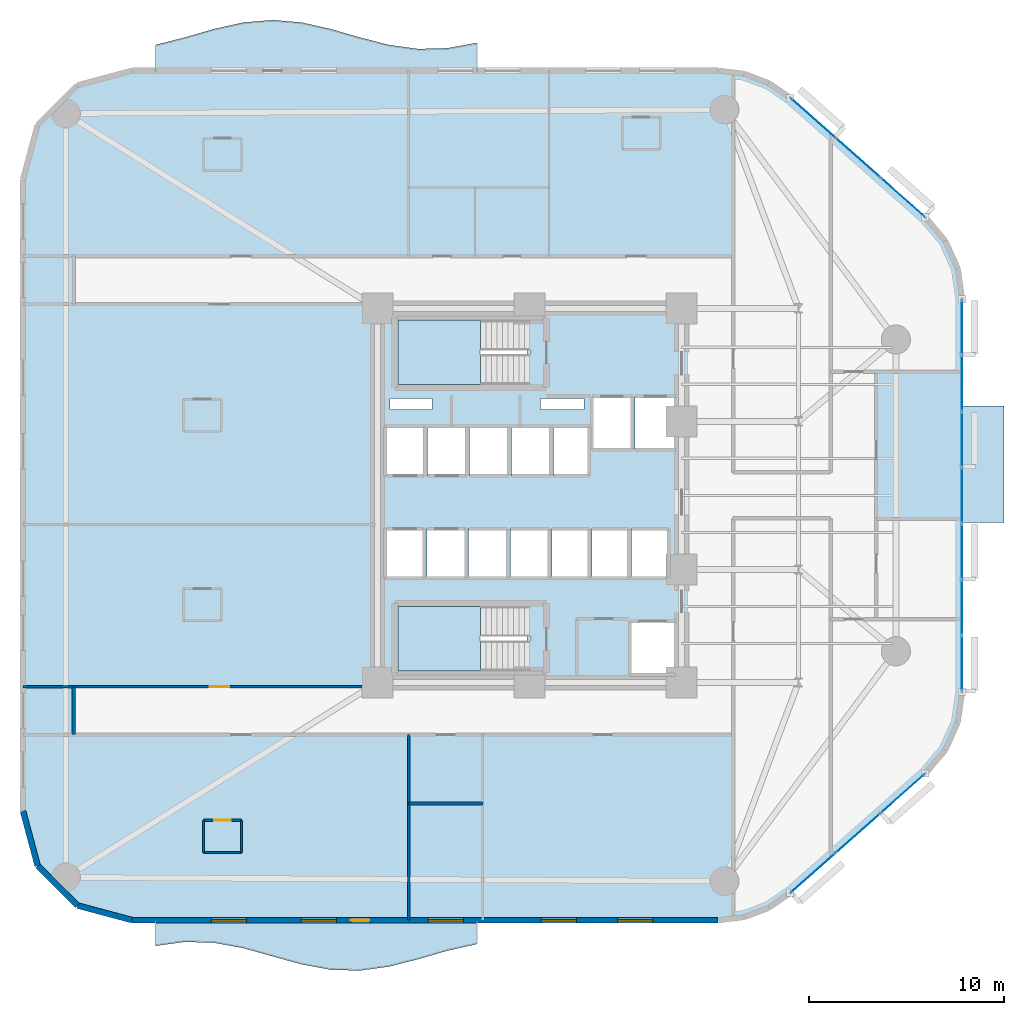
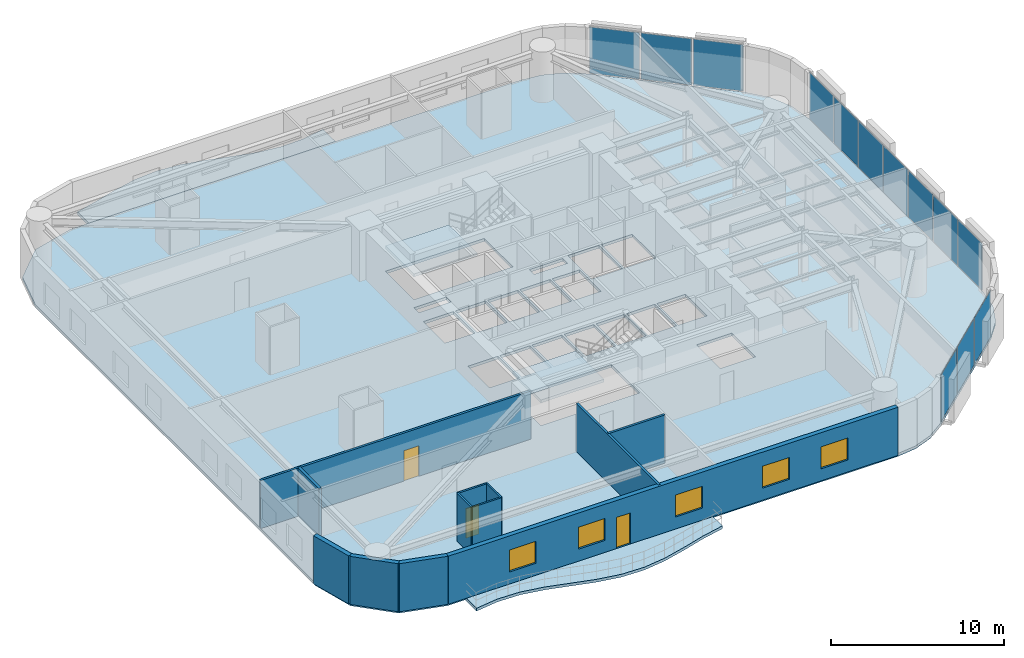
# One storey, part 9 of 16: 13 plates, 12 walls, 6 slabs, 5 windows, 3 doors, 8 openings, 5 elements without a shape of their own.
"""IFC4 building model written with IfcOpenShell, lengths in metres."""

from ifc_helpers import new_model, si_unit, direction, frame, frame_2d, origin, origin_2d, place, context, subcontext, project, spatial, polyline, rectangle, outline, extrude, material, layer, layer_set, type_object, element, fill, aggregate, save


model = new_model("IFC4")

# Units and contexts
model_context = context("Model", 3, precision=1e-05, world=origin(), true_north=direction((0.0, 1.0)))
body_context = subcontext(model_context, "Body", "Model", "MODEL_VIEW")
ifc_project = project(units=[si_unit("LENGTHUNIT", "METRE"), si_unit("AREAUNIT", "SQUARE_METRE"), si_unit("VOLUMEUNIT", "CUBIC_METRE"), si_unit("PLANEANGLEUNIT", "RADIAN"), si_unit("MASSUNIT", "GRAM", prefix="KILO")], contexts=[model_context])

# Site, building, storey
site_placement = place(None, origin())
site = spatial("IfcSite", under=ifc_project, at=site_placement, CompositionType="ELEMENT")
building_placement = place(site_placement, origin())
building = spatial("IfcBuilding", under=site, at=building_placement, Name="An Khanh Terracotta Commons", CompositionType="ELEMENT")
storey_placement = place(building_placement, frame((0.0, 0.0, 50.39990234375)))
storey = spatial("IfcBuildingStorey", under=building, at=storey_placement, Name="L13", CompositionType="ELEMENT", Elevation=50.39990234375)

# Curtain wall, plates
ifc_material_1 = material(Name="Anodised Aluminium 6063-T6", Category="aluminium")
ifc_layer_1 = layer(ifc_material_1, 0.199951171875, Name="Anodised Aluminium 6063-T6")
ifc_layer_set_1 = layer_set([ifc_layer_1], Name="Anodised Aluminium 6063-T6")
curtain_wall_type = type_object("IfcCurtainWallType", Name="CW-SYS-02", PredefinedType="USERDEFINED", material=ifc_layer_set_1)
curtain_wall_1_placement = place(storey_placement, origin())
curtain_wall_1 = element("IfcCurtainWall", 1, at=curtain_wall_1_placement, inside=storey, type_object=curtain_wall_type, Name="L13 CW-02 Unitised Curtain Wall CW-L13-08", ObjectType="UNITISED CURTAIN WALL", PredefinedType="USERDEFINED")
ifc_material_2 = material(Name="Double Low-E Solar Control Glazing", Category="glass")
ifc_layer_2 = layer(ifc_material_2, 0.028076171875, Name="Double Low-E Solar Control Glazing")
ifc_layer_set_2 = layer_set([ifc_layer_2], Name="Double Low-E Solar Control Glazing")
plate_type = type_object("IfcPlateType", Name="CWP-IGU-28", PredefinedType="CURTAIN_PANEL", material=ifc_layer_set_2)
plate_1_placement = place(storey_placement, frame((43.95556640625, 4.637939453125, 0.06005859375), z_axis=(0.0, 0.0, 1.0), x_axis=(0.749019284633, 0.662548195415, 0.0)))
plate_1 = element("IfcPlate", 2, at=plate_1_placement, type_object=plate_type, Name="CW-02 panel 1.1", PredefinedType="CURTAIN_PANEL", context=body_context, shape_type="SweptSolid", body=[
    extrude(rectangle(XDim=2.97509765625, YDim=0.028076171875, at=origin_2d()), origin(), (0.0, 0.0, 1.0), 3.280029296875),
])
plate_2_placement = place(storey_placement, frame((46.24951171875, 6.6669921875, 0.06005859375), z_axis=(0.0, 0.0, 1.0), x_axis=(0.749019284633, 0.662548195415, 0.0)))
plate_2 = element("IfcPlate", 3, at=plate_2_placement, type_object=plate_type, Name="CW-02 panel 2.1", PredefinedType="CURTAIN_PANEL", context=body_context, shape_type="SweptSolid", body=[
    extrude(rectangle(XDim=3.010009765625, YDim=0.028076171875, at=origin_2d()), origin(), (0.0, 0.0, 1.0), 3.280029296875),
])
plate_3_placement = place(storey_placement, frame((48.54345703125, 8.696044921875, 0.06005859375), z_axis=(0.0, 0.0, 1.0), x_axis=(0.749019284633, 0.662548195415, 0.0)))
plate_3 = element("IfcPlate", 4, at=plate_3_placement, type_object=plate_type, Name="CW-02 panel 3.1", PredefinedType="CURTAIN_PANEL", context=body_context, shape_type="SweptSolid", body=[
    extrude(rectangle(XDim=2.97509765625, YDim=0.028076171875, at=origin_2d()), origin(), (0.0, 0.0, 1.0), 3.280029296875),
])
aggregate(curtain_wall_1, [plate_1, plate_2, plate_3])

curtain_wall_2_placement = place(storey_placement, origin())
curtain_wall_2 = element("IfcCurtainWall", 5, at=curtain_wall_2_placement, inside=storey, type_object=curtain_wall_type, Name="L13 CW-02 Unitised Curtain Wall CW-L13-12", ObjectType="UNITISED CURTAIN WALL", PredefinedType="USERDEFINED")
plate_4_placement = place(storey_placement, frame((51.60009765625, 15.380126953125, 0.06005859375), z_axis=(0.0, 0.0, 1.0), x_axis=(0.0, 1.0, 0.0)))
plate_4 = element("IfcPlate", 6, at=plate_4_placement, type_object=plate_type, Name="CW-02 panel 1.1", PredefinedType="CURTAIN_PANEL", context=body_context, shape_type="SweptSolid", body=[
    extrude(rectangle(XDim=2.774169921875, YDim=0.028076171875, at=origin_2d()), origin(), (0.0, 0.0, 1.0), 3.280029296875),
])
plate_5_placement = place(storey_placement, frame((51.60009765625, 18.24169921875, 0.06005859375), z_axis=(0.0, 0.0, 1.0), x_axis=(0.0, 1.0, 0.0)))
plate_5 = element("IfcPlate", 7, at=plate_5_placement, type_object=plate_type, Name="CW-02 panel 2.1", PredefinedType="CURTAIN_PANEL", context=body_context, shape_type="SweptSolid", body=[
    extrude(rectangle(XDim=2.80908203125, YDim=0.028076171875, at=origin_2d()), origin(), (0.0, 0.0, 1.0), 3.280029296875),
])
plate_6_placement = place(storey_placement, frame((51.60009765625, 21.120849609375, 0.06005859375), z_axis=(0.0, 0.0, 1.0), x_axis=(0.0, 1.0, 0.0)))
plate_6 = element("IfcPlate", 8, at=plate_6_placement, type_object=plate_type, Name="CW-02 panel 3.1", PredefinedType="CURTAIN_PANEL", context=body_context, shape_type="SweptSolid", body=[
    extrude(rectangle(XDim=2.80908203125, YDim=0.028076171875, at=origin_2d()), origin(), (0.0, 0.0, 1.0), 3.280029296875),
])
plate_7_placement = place(storey_placement, frame((51.60009765625, 24.0, 0.06005859375), z_axis=(0.0, 0.0, 1.0), x_axis=(0.0, 1.0, 0.0)))
plate_7 = element("IfcPlate", 9, at=plate_7_placement, type_object=plate_type, Name="CW-02 panel 4.1", PredefinedType="CURTAIN_PANEL", context=body_context, shape_type="SweptSolid", body=[
    extrude(rectangle(XDim=2.80908203125, YDim=0.028076171875, at=origin_2d()), origin(), (0.0, 0.0, 1.0), 3.280029296875),
])
plate_8_placement = place(storey_placement, frame((51.60009765625, 26.879150390625, 0.06005859375), z_axis=(0.0, 0.0, 1.0), x_axis=(0.0, 1.0, 0.0)))
plate_8 = element("IfcPlate", 10, at=plate_8_placement, type_object=plate_type, Name="CW-02 panel 5.1", PredefinedType="CURTAIN_PANEL", context=body_context, shape_type="SweptSolid", body=[
    extrude(rectangle(XDim=2.80908203125, YDim=0.028076171875, at=origin_2d()), origin(), (0.0, 0.0, 1.0), 3.280029296875),
])
plate_9_placement = place(storey_placement, frame((51.60009765625, 29.75830078125, 0.06005859375), z_axis=(0.0, 0.0, 1.0), x_axis=(0.0, 1.0, 0.0)))
plate_9 = element("IfcPlate", 11, at=plate_9_placement, type_object=plate_type, Name="CW-02 panel 6.1", PredefinedType="CURTAIN_PANEL", context=body_context, shape_type="SweptSolid", body=[
    extrude(rectangle(XDim=2.80908203125, YDim=0.028076171875, at=origin_2d()), origin(), (0.0, 0.0, 1.0), 3.280029296875),
])
plate_10_placement = place(storey_placement, frame((51.60009765625, 32.619873046875, 0.06005859375), z_axis=(0.0, 0.0, 1.0), x_axis=(0.0, 1.0, 0.0)))
plate_10 = element("IfcPlate", 12, at=plate_10_placement, type_object=plate_type, Name="CW-02 panel 7.1", PredefinedType="CURTAIN_PANEL", context=body_context, shape_type="SweptSolid", body=[
    extrude(rectangle(XDim=2.774169921875, YDim=0.028076171875, at=origin_2d()), origin(), (0.0, 0.0, 1.0), 3.280029296875),
])
aggregate(curtain_wall_2, [plate_4, plate_5, plate_6, plate_7, plate_8, plate_9, plate_10])

curtain_wall_3_placement = place(storey_placement, origin())
curtain_wall_3 = element("IfcCurtainWall", 13, at=curtain_wall_3_placement, inside=storey, type_object=curtain_wall_type, Name="L13 CW-02 Unitised Curtain Wall CW-L13-16", ObjectType="UNITISED CURTAIN WALL", PredefinedType="USERDEFINED")
plate_11_placement = place(storey_placement, frame((48.54345703125, 39.303955078125, 0.06005859375), z_axis=(0.0, 0.0, 1.0), x_axis=(-0.749019284633, 0.662548195415, 0.0)))
plate_11 = element("IfcPlate", 14, at=plate_11_placement, type_object=plate_type, Name="CW-02 panel 1.1", PredefinedType="CURTAIN_PANEL", context=body_context, shape_type="SweptSolid", body=[
    extrude(rectangle(XDim=2.97509765625, YDim=0.028076171875, at=origin_2d()), origin(), (0.0, 0.0, 1.0), 3.280029296875),
])
plate_12_placement = place(storey_placement, frame((46.24951171875, 41.3330078125, 0.06005859375), z_axis=(0.0, 0.0, 1.0), x_axis=(-0.749019284633, 0.662548195415, 0.0)))
plate_12 = element("IfcPlate", 15, at=plate_12_placement, type_object=plate_type, Name="CW-02 panel 2.1", PredefinedType="CURTAIN_PANEL", context=body_context, shape_type="SweptSolid", body=[
    extrude(rectangle(XDim=3.010009765625, YDim=0.028076171875, at=origin_2d()), origin(), (0.0, 0.0, 1.0), 3.280029296875),
])
plate_13_placement = place(storey_placement, frame((43.95556640625, 43.362060546875, 0.06005859375), z_axis=(0.0, 0.0, 1.0), x_axis=(-0.749019284633, 0.662548195415, 0.0)))
plate_13 = element("IfcPlate", 16, at=plate_13_placement, type_object=plate_type, Name="CW-02 panel 3.1", PredefinedType="CURTAIN_PANEL", context=body_context, shape_type="SweptSolid", body=[
    extrude(rectangle(XDim=2.97509765625, YDim=0.028076171875, at=origin_2d()), origin(), (0.0, 0.0, 1.0), 3.280029296875),
])
aggregate(curtain_wall_3, [plate_11, plate_12, plate_13])

# Slabs
ifc_material_3 = material(Name="Concrete C40/50", Category="concrete")
ifc_layer_3 = layer(ifc_material_3, 0.199951171875, Name="Concrete C40/50")
ifc_layer_set_3 = layer_set([ifc_layer_3], Name="Concrete C40/50")
slab_type_1 = type_object("IfcSlabType", Name="SLAB-BALC-200", PredefinedType="FLOOR", material=ifc_layer_set_3)
slab_1_placement = place(storey_placement, frame((0.0, 0.0, -0.199951171875)))
element("IfcSlab", 17, at=slab_1_placement, inside=storey, type_object=slab_type_1, Name="L13 S Sinusoidal Wave Balcony Slab", PredefinedType="FLOOR", context=body_context, shape_type="SweptSolid", body=[
    extrude(outline(polyline([(10.199951171875, 2.199951171875), (10.199951171875, 0.8798828125), (11.699951171875, 1.0859375), (13.199951171875, 1.04296875), (14.699951171875, 0.76708984375), (16.199951171875, 0.35009765625), (17.699951171875, -0.06689453125), (19.199951171875, -0.343017578125), (20.699951171875, -0.385986328125), (22.199951171875, -0.179931640625), (23.699951171875, 0.2041015625), (25.199951171875, 0.636962890625), (26.699951171875, 0.97412109375), (26.699951171875, 2.199951171875), (10.199951171875, 2.199951171875)])), origin(), (0.0, 0.0, 1.0), 0.199951171875),
])
slab_2_placement = place(storey_placement, frame((0.0, 0.0, -0.199951171875)))
element("IfcSlab", 18, at=slab_2_placement, inside=storey, type_object=slab_type_1, Name="L13 N Sinusoidal Wave Balcony Slab", PredefinedType="FLOOR", context=body_context, shape_type="SweptSolid", body=[
    extrude(outline(polyline([(26.699951171875, 45.800048828125), (26.699951171875, 47.23291015625), (25.199951171875, 46.95703125), (23.699951171875, 46.9140625), (22.199951171875, 47.1201171875), (20.699951171875, 47.50390625), (19.199951171875, 47.93701171875), (17.699951171875, 48.27392578125), (16.199951171875, 48.39990234375), (14.699951171875, 48.27392578125), (13.199951171875, 47.93701171875), (11.699951171875, 47.50390625), (10.199951171875, 47.1201171875), (10.199951171875, 45.800048828125), (26.699951171875, 45.800048828125)])), origin(), (0.0, 0.0, 1.0), 0.199951171875),
])
ifc_layer_4 = layer(ifc_material_3, 0.22998046875, Name="Concrete C40/50")
ifc_layer_set_4 = layer_set([ifc_layer_4], Name="Concrete C40/50")
slab_type_2 = type_object("IfcSlabType", Name="SLAB-BOXROOF-230", PredefinedType="ROOF", material=ifc_layer_set_4)
slab_3_placement = place(storey_placement, frame((0.0, 0.0, -0.199951171875)))
element("IfcSlab", 19, at=slab_3_placement, inside=storey, type_object=slab_type_2, Name="L13 Shifted Social Kitchen Box Closing Roof Slab (L12)", PredefinedType="ROOF", context=body_context, shape_type="SweptSolid", body=[
    extrude(outline(polyline([(51.60009765625, 22.60009765625), (53.75, 22.60009765625), (53.75, 28.60009765625), (51.60009765625, 28.60009765625), (51.60009765625, 22.60009765625)])), origin(), (0.0, 0.0, 1.0), 0.199951171875),
])

# Stair, slab
ifc_material_4 = material(Name="Precast concrete C40/50", Category="concrete")
stair_type = type_object("IfcStairType", Name="STAIR-CORE-1550", PredefinedType="HALF_TURN_STAIR", material=ifc_material_4)
stair_1_placement = place(storey_placement, origin())
stair_1 = element("IfcStair", 20, at=stair_1_placement, inside=storey, type_object=stair_type, Name="L13 Core Smokeproof Exit Stair ST-01", PredefinedType="HALF_TURN_STAIR")
ifc_layer_5 = layer(ifc_material_3, 0.18994140625, Name="Concrete C40/50")
ifc_layer_set_5 = layer_set([ifc_layer_5], Name="Concrete C40/50")
slab_type_3 = type_object("IfcSlabType", Name="SLAB-LANDING-190", PredefinedType="LANDING", material=ifc_layer_set_5)
slab_4_placement = place(storey_placement, frame((0.0, 0.0, 1.60009765625)))
slab_4 = element("IfcSlab", 21, at=slab_4_placement, type_object=slab_type_3, Name="ST-01 landing 1", PredefinedType="LANDING", context=body_context, shape_type="SweptSolid", body=[
    extrude(outline(polyline([(26.889892578125, 33.0), (22.64990234375, 33.0), (22.64990234375, 29.699951171875), (26.889892578125, 29.699951171875), (26.889892578125, 33.0)])), origin(), (0.0, 0.0, 1.0), 0.199951171875),
])
aggregate(stair_1, [slab_4])

stair_2_placement = place(storey_placement, origin())
stair_2 = element("IfcStair", 22, at=stair_2_placement, inside=storey, type_object=stair_type, Name="L13 Core Smokeproof Exit Stair ST-02", PredefinedType="HALF_TURN_STAIR")
slab_5_placement = place(storey_placement, frame((0.0, 0.0, 1.60009765625)))
slab_5 = element("IfcSlab", 23, at=slab_5_placement, type_object=slab_type_3, Name="ST-02 landing 1", PredefinedType="LANDING", context=body_context, shape_type="SweptSolid", body=[
    extrude(outline(polyline([(26.889892578125, 18.300048828125), (22.64990234375, 18.300048828125), (22.64990234375, 15.0), (26.889892578125, 15.0), (26.889892578125, 18.300048828125)])), origin(), (0.0, 0.0, 1.0), 0.199951171875),
])
aggregate(stair_2, [slab_5])

# Slab
ifc_layer_6 = layer(ifc_material_3, 0.199951171875, Name="Concrete C40/50")
ifc_layer_set_6 = layer_set([ifc_layer_6], Name="Concrete C40/50")
slab_type_4 = type_object("IfcSlabType", Name="SLAB-TYP-200", PredefinedType="FLOOR", material=ifc_layer_set_6)
slab_6_placement = place(storey_placement, frame((0.0, 0.0, -0.199951171875)))
element("IfcSlab", 24, at=slab_6_placement, inside=storey, type_object=slab_type_4, Name="L13 Structural Floor Slab", PredefinedType="FLOOR", context=body_context, shape_type="SweptSolid", body=[
    extrude(outline(polyline([(3.39990234375, 7.800048828125), (4.14990234375, 5.0), (6.199951171875, 2.949951171875), (9.0, 2.199951171875), (39.0791015625, 2.199951171875), (40.4169921875, 2.362060546875), (41.678955078125, 2.840087890625), (42.7890625, 3.60595703125), (49.7099609375, 9.72802734375), (50.73193359375, 10.927978515625), (51.37890625, 12.363037109375), (51.60009765625, 13.923095703125), (51.60009765625, 34.076904296875), (51.37890625, 35.636962890625), (50.73193359375, 37.072021484375), (49.7099609375, 38.27197265625), (42.7890625, 44.39404296875), (41.678955078125, 45.159912109375), (40.4169921875, 45.637939453125), (39.0791015625, 45.800048828125), (9.0, 45.800048828125), (6.199951171875, 45.050048828125), (4.14990234375, 43.0), (3.39990234375, 40.199951171875), (3.39990234375, 7.800048828125)]), holes=[polyline([(22.64990234375, 29.699951171875), (29.27001953125, 29.699951171875), (29.27001953125, 33.0), (22.64990234375, 33.0), (22.64990234375, 29.699951171875)]), polyline([(22.64990234375, 15.0), (29.27001953125, 15.0), (29.27001953125, 18.300048828125), (22.64990234375, 18.300048828125), (22.64990234375, 15.0)]), polyline([(32.60009765625, 26.35009765625), (34.679931640625, 26.35009765625), (34.679931640625, 29.080078125), (32.60009765625, 29.080078125), (32.60009765625, 26.35009765625)]), polyline([(34.820068359375, 26.35009765625), (36.89990234375, 26.35009765625), (36.89990234375, 29.080078125), (34.820068359375, 29.080078125), (34.820068359375, 26.35009765625)]), polyline([(34.550048828125, 14.800048828125), (36.89990234375, 14.800048828125), (36.89990234375, 17.550048828125), (34.550048828125, 17.550048828125), (34.550048828125, 14.800048828125)]), polyline([(22.0, 25.0), (24.02001953125, 25.0), (24.02001953125, 27.5), (22.0, 27.5), (22.0, 25.0)]), polyline([(24.159912109375, 25.0), (26.179931640625, 25.0), (26.179931640625, 27.5), (24.159912109375, 27.5), (24.159912109375, 25.0)]), polyline([(22.0, 19.800048828125), (24.0, 19.800048828125), (24.0, 22.300048828125), (22.0, 22.300048828125), (22.0, 19.800048828125)]), polyline([(24.139892578125, 19.800048828125), (26.139892578125, 19.800048828125), (26.139892578125, 22.300048828125), (24.139892578125, 22.300048828125), (24.139892578125, 19.800048828125)]), polyline([(26.320068359375, 25.0), (28.340087890625, 25.0), (28.340087890625, 27.5), (26.320068359375, 27.5), (26.320068359375, 25.0)]), polyline([(28.47998046875, 25.0), (30.5, 25.0), (30.5, 27.5), (28.47998046875, 27.5), (28.47998046875, 25.0)]), polyline([(26.280029296875, 19.800048828125), (28.280029296875, 19.800048828125), (28.280029296875, 22.300048828125), (26.280029296875, 22.300048828125), (26.280029296875, 19.800048828125)]), polyline([(28.419921875, 19.800048828125), (30.419921875, 19.800048828125), (30.419921875, 22.300048828125), (28.419921875, 22.300048828125), (28.419921875, 19.800048828125)]), polyline([(30.639892578125, 25.0), (32.4599609375, 25.0), (32.4599609375, 27.5), (30.639892578125, 27.5), (30.639892578125, 25.0)]), polyline([(30.56005859375, 19.800048828125), (32.4599609375, 19.800048828125), (32.4599609375, 22.300048828125), (30.56005859375, 22.300048828125), (30.56005859375, 19.800048828125)]), polyline([(32.60009765625, 19.800048828125), (34.5, 19.800048828125), (34.5, 22.300048828125), (32.60009765625, 22.300048828125), (32.60009765625, 19.800048828125)]), polyline([(34.639892578125, 19.800048828125), (36.5400390625, 19.800048828125), (36.5400390625, 22.300048828125), (34.639892578125, 22.300048828125), (34.639892578125, 19.800048828125)]), polyline([(22.25, 28.419921875), (24.39990234375, 28.419921875), (24.39990234375, 28.97998046875), (22.25, 28.97998046875), (22.25, 28.419921875)]), polyline([(29.949951171875, 28.419921875), (32.199951171875, 28.419921875), (32.199951171875, 28.97998046875), (29.949951171875, 28.97998046875), (29.949951171875, 28.419921875)])]), origin(), (0.0, 0.0, 1.0), 0.199951171875),
])

# Walls
ifc_material_5 = material(Name="Fire-Rated Gypsum Board on Steel Stud", Category="steel")
ifc_layer_7 = layer(ifc_material_5, 0.179931640625, Name="Fire-Rated Gypsum Board on Steel Stud")
ifc_layer_set_7 = layer_set([ifc_layer_7], Name="Fire-Rated Gypsum Board on Steel Stud")
wall_type_1 = type_object("IfcWallType", Name="WALL-CORR-180", PredefinedType="PARTITIONING", material=ifc_layer_set_7)
wall_1_placement = place(storey_placement, frame((6.0, 11.719970703125, 0.0), z_axis=(0.0, 0.0, 1.0), x_axis=(0.0, 1.0, 0.0)))
element("IfcWall", 25, at=wall_1_placement, inside=storey, type_object=wall_type_1, Name="L13 Interior Partition IW-L13-E013", PredefinedType="PARTITIONING", context=body_context, shape_type="SweptSolid", body=[
    extrude(rectangle(XDim=2.4599609375, YDim=0.179931640625, at=frame_2d((1.22998046875, 0.0))), origin(), (0.0, 0.0, 1.0), 3.400146484375),
])
ifc_layer_8 = layer(ifc_material_4, 0.300048828125, Name="Precast concrete C40/50")
ifc_layer_set_8 = layer_set([ifc_layer_8], Name="Precast concrete C40/50")
wall_type_2 = type_object("IfcWallType", Name="WALL-EXT-300", PredefinedType="SOLIDWALL", material=ifc_layer_set_8)
wall_2_placement = place(storey_placement, frame((3.39990234375, 7.800048828125, 0.0), z_axis=(0.0, 0.0, 1.0), x_axis=(0.258731875344, -0.96594917914, 0.0)))
element("IfcWall", 26, at=wall_2_placement, inside=storey, type_object=wall_type_2, Name="L13 Insulated Terracotta Exterior Wall 1", PredefinedType="SOLIDWALL", context=body_context, shape_type="SweptSolid", body=[
    extrude(rectangle(XDim=2.898681640625, YDim=0.300048828125, at=frame_2d((1.44921875, 0.0))), origin(), (0.0, 0.0, 1.0), 3.400146484375),
])
wall_3_placement = place(storey_placement, frame((4.14990234375, 5.0, 0.0), z_axis=(0.0, 0.0, 1.0), x_axis=(0.707106781187, -0.707106781187, 0.0)))
element("IfcWall", 27, at=wall_3_placement, inside=storey, type_object=wall_type_2, Name="L13 Insulated Terracotta Exterior Wall 2", PredefinedType="SOLIDWALL", context=body_context, shape_type="SweptSolid", body=[
    extrude(rectangle(XDim=2.899169921875, YDim=0.300048828125, at=frame_2d((1.44970703125, 0.0))), origin(), (0.0, 0.0, 1.0), 3.400146484375),
])
wall_4_placement = place(storey_placement, frame((6.199951171875, 2.949951171875, 0.0), z_axis=(0.0, 0.0, 1.0), x_axis=(0.96594917914, -0.258731875344, 0.0)))
element("IfcWall", 28, at=wall_4_placement, inside=storey, type_object=wall_type_2, Name="L13 Insulated Terracotta Exterior Wall 3", PredefinedType="SOLIDWALL", context=body_context, shape_type="SweptSolid", body=[
    extrude(rectangle(XDim=2.898681640625, YDim=0.300048828125, at=frame_2d((1.44921875, 0.0))), origin(), (0.0, 0.0, 1.0), 3.400146484375),
])

# Wall, openings, door, windows
wall_5_placement = place(storey_placement, frame((9.0, 2.199951171875, 0.0), z_axis=(0.0, 0.0, 1.0), x_axis=(1.0, 0.0, 0.0)))
wall_5 = element("IfcWall", 29, at=wall_5_placement, inside=storey, type_object=wall_type_2, Name="L13 Insulated Terracotta Exterior Wall 4", PredefinedType="SOLIDWALL", context=body_context, shape_type="SweptSolid", body=[
    extrude(rectangle(XDim=30.0791015625, YDim=0.300048828125, at=frame_2d((15.03955078125, 0.0))), origin(), (0.0, 0.0, 1.0), 3.400146484375),
])
opening_1_placement = place(wall_5_placement, frame((11.22509765625, 0.0, 0.0)))
opening_1 = element("IfcOpeningElement", 30, at=opening_1_placement, cuts=wall_5, Name="Opening D-BAL", PredefinedType="OPENING", context=body_context, shape_type="SweptSolid", body=[
    extrude(rectangle(XDim=0.949951171875, YDim=2.199951171875, at=frame_2d((0.47509765625, 1.10009765625))), frame((0.0, 0.159912109375, 0.0), z_axis=(0.0, -1.0, 0.0), x_axis=(1.0, 0.0, 0.0)), (0.0, 0.0, 1.0), 0.320068359375),
])
opening_2_placement = place(wall_5_placement, frame((4.06689453125, 0.0, 0.85009765625)))
opening_2 = element("IfcOpeningElement", 31, at=opening_2_placement, cuts=wall_5, Name="Opening W-01", PredefinedType="OPENING", context=body_context, shape_type="SweptSolid", body=[
    extrude(rectangle(XDim=1.800048828125, YDim=1.550048828125, at=frame_2d((0.89990234375, 0.77490234375))), frame((0.0, 0.159912109375, 0.0), z_axis=(0.0, -1.0, 0.0), x_axis=(1.0, 0.0, 0.0)), (0.0, 0.0, 1.0), 0.320068359375),
])
opening_3_placement = place(wall_5_placement, frame((8.68310546875, 0.0, 0.85009765625)))
opening_3 = element("IfcOpeningElement", 32, at=opening_3_placement, cuts=wall_5, Name="Opening W-01", PredefinedType="OPENING", context=body_context, shape_type="SweptSolid", body=[
    extrude(rectangle(XDim=1.800048828125, YDim=1.550048828125, at=frame_2d((0.89990234375, 0.77490234375))), frame((0.0, 0.159912109375, 0.0), z_axis=(0.0, -1.0, 0.0), x_axis=(1.0, 0.0, 0.0)), (0.0, 0.0, 1.0), 0.320068359375),
])
opening_4_placement = place(wall_5_placement, frame((15.199951171875, 0.0, 0.85009765625)))
opening_4 = element("IfcOpeningElement", 33, at=opening_4_placement, cuts=wall_5, Name="Opening W-01", PredefinedType="OPENING", context=body_context, shape_type="SweptSolid", body=[
    extrude(rectangle(XDim=1.800048828125, YDim=1.550048828125, at=frame_2d((0.89990234375, 0.77490234375))), frame((0.0, 0.159912109375, 0.0), z_axis=(0.0, -1.0, 0.0), x_axis=(1.0, 0.0, 0.0)), (0.0, 0.0, 1.0), 0.320068359375),
])
opening_5_placement = place(wall_5_placement, frame((21.010009765625, 0.0, 0.85009765625)))
opening_5 = element("IfcOpeningElement", 34, at=opening_5_placement, cuts=wall_5, Name="Opening W-01", PredefinedType="OPENING", context=body_context, shape_type="SweptSolid", body=[
    extrude(rectangle(XDim=1.800048828125, YDim=1.550048828125, at=frame_2d((0.89990234375, 0.77490234375))), frame((0.0, 0.159912109375, 0.0), z_axis=(0.0, -1.0, 0.0), x_axis=(1.0, 0.0, 0.0)), (0.0, 0.0, 1.0), 0.320068359375),
])
opening_6_placement = place(wall_5_placement, frame((24.9189453125, 0.0, 0.85009765625)))
opening_6 = element("IfcOpeningElement", 35, at=opening_6_placement, cuts=wall_5, Name="Opening W-01", PredefinedType="OPENING", context=body_context, shape_type="SweptSolid", body=[
    extrude(rectangle(XDim=1.800048828125, YDim=1.550048828125, at=frame_2d((0.89990234375, 0.77490234375))), frame((0.0, 0.159912109375, 0.0), z_axis=(0.0, -1.0, 0.0), x_axis=(1.0, 0.0, 0.0)), (0.0, 0.0, 1.0), 0.320068359375),
])
ifc_material_6 = material(Name="Thermally Broken Aluminium and Low-E Glass", Category="aluminium")
door_type_1 = type_object("IfcDoorType", Name="DOOR-BALC-950", OperationType="NOTDEFINED", PredefinedType="DOOR", material=ifc_material_6)
door_1_placement = place(opening_1_placement, origin())
door_1 = element("IfcDoor", 36, at=door_1_placement, inside=storey, type_object=door_type_1, Name="L13 S Wave Balcony Glazed Door", OperationType="SINGLE_SWING_LEFT", OverallHeight=2.199951171875, OverallWidth=0.949951171875, PredefinedType="DOOR", context=body_context, shape_type="SweptSolid", body=[
    extrude(rectangle(XDim=0.949951171875, YDim=2.199951171875, at=frame_2d((0.47509765625, 1.10009765625))), frame((0.0, 0.02490234375, 0.0), z_axis=(0.0, -1.0, 0.0), x_axis=(1.0, 0.0, 0.0)), (0.0, 0.0, 1.0), 0.050048828125),
])
fill(opening_1, door_1)
window_type = type_object("IfcWindowType", Name="WIN-Z1-1800x1550", PartitioningType="DOUBLE_PANEL_VERTICAL", PredefinedType="WINDOW", material=ifc_material_6)
window_1_placement = place(opening_2_placement, origin())
window_1 = element("IfcWindow", 37, at=window_1_placement, inside=storey, type_object=window_type, Name="L13 Operable Casement Window 4.1", OverallHeight=1.550048828125, OverallWidth=1.800048828125, PartitioningType="DOUBLE_PANEL_VERTICAL", PredefinedType="WINDOW", context=body_context, shape_type="SweptSolid", body=[
    extrude(rectangle(XDim=1.800048828125, YDim=1.550048828125, at=frame_2d((0.89990234375, 0.77490234375))), frame((0.0, 0.030029296875, 0.0), z_axis=(0.0, -1.0, 0.0), x_axis=(1.0, 0.0, 0.0)), (0.0, 0.0, 1.0), 0.06005859375),
])
fill(opening_2, window_1)
window_2_placement = place(opening_3_placement, origin())
window_2 = element("IfcWindow", 38, at=window_2_placement, inside=storey, type_object=window_type, Name="L13 Operable Casement Window 4.2", OverallHeight=1.550048828125, OverallWidth=1.800048828125, PartitioningType="DOUBLE_PANEL_VERTICAL", PredefinedType="WINDOW", context=body_context, shape_type="SweptSolid", body=[
    extrude(rectangle(XDim=1.800048828125, YDim=1.550048828125, at=frame_2d((0.89990234375, 0.77490234375))), frame((0.0, 0.030029296875, 0.0), z_axis=(0.0, -1.0, 0.0), x_axis=(1.0, 0.0, 0.0)), (0.0, 0.0, 1.0), 0.06005859375),
])
fill(opening_3, window_2)
window_3_placement = place(opening_4_placement, origin())
window_3 = element("IfcWindow", 39, at=window_3_placement, inside=storey, type_object=window_type, Name="L13 Operable Casement Window 4.3", OverallHeight=1.550048828125, OverallWidth=1.800048828125, PartitioningType="DOUBLE_PANEL_VERTICAL", PredefinedType="WINDOW", context=body_context, shape_type="SweptSolid", body=[
    extrude(rectangle(XDim=1.800048828125, YDim=1.550048828125, at=frame_2d((0.89990234375, 0.77490234375))), frame((0.0, 0.030029296875, 0.0), z_axis=(0.0, -1.0, 0.0), x_axis=(1.0, 0.0, 0.0)), (0.0, 0.0, 1.0), 0.06005859375),
])
fill(opening_4, window_3)
window_4_placement = place(opening_5_placement, origin())
window_4 = element("IfcWindow", 40, at=window_4_placement, inside=storey, type_object=window_type, Name="L13 Operable Casement Window 4.4", OverallHeight=1.550048828125, OverallWidth=1.800048828125, PartitioningType="DOUBLE_PANEL_VERTICAL", PredefinedType="WINDOW", context=body_context, shape_type="SweptSolid", body=[
    extrude(rectangle(XDim=1.800048828125, YDim=1.550048828125, at=frame_2d((0.89990234375, 0.77490234375))), frame((0.0, 0.030029296875, 0.0), z_axis=(0.0, -1.0, 0.0), x_axis=(1.0, 0.0, 0.0)), (0.0, 0.0, 1.0), 0.06005859375),
])
fill(opening_5, window_4)
window_5_placement = place(opening_6_placement, origin())
window_5 = element("IfcWindow", 41, at=window_5_placement, inside=storey, type_object=window_type, Name="L13 Operable Casement Window 4.5", OverallHeight=1.550048828125, OverallWidth=1.800048828125, PartitioningType="DOUBLE_PANEL_VERTICAL", PredefinedType="WINDOW", context=body_context, shape_type="SweptSolid", body=[
    extrude(rectangle(XDim=1.800048828125, YDim=1.550048828125, at=frame_2d((0.89990234375, 0.77490234375))), frame((0.0, 0.030029296875, 0.0), z_axis=(0.0, -1.0, 0.0), x_axis=(1.0, 0.0, 0.0)), (0.0, 0.0, 1.0), 0.06005859375),
])
fill(opening_6, window_5)

# Wall
ifc_material_7 = material(Name="Acoustic Gypsum Board Partition")
ifc_layer_9 = layer(ifc_material_7, 0.14990234375, Name="Acoustic Gypsum Board Partition")
ifc_layer_set_9 = layer_set([ifc_layer_9], Name="Acoustic Gypsum Board Partition")
wall_type_3 = type_object("IfcWallType", Name="WALL-PART-150", PredefinedType="PARTITIONING", material=ifc_layer_set_9)
wall_6_placement = place(storey_placement, frame((23.199951171875, 8.199951171875, 0.0), z_axis=(0.0, 0.0, 1.0), x_axis=(1.0, 0.0, 0.0)))
element("IfcWall", 42, at=wall_6_placement, inside=storey, type_object=wall_type_3, Name="L13 Interior Partition IW-L13-E001", PredefinedType="PARTITIONING", context=body_context, shape_type="SweptSolid", body=[
    extrude(rectangle(XDim=3.800048828125, YDim=0.14990234375, at=frame_2d((1.89990234375, 0.0))), origin(), (0.0, 0.0, 1.0), 3.400146484375),
])

# Wall, opening, door
wall_7_placement = place(storey_placement, frame((3.39990234375, 14.179931640625, 0.0), z_axis=(0.0, 0.0, 1.0), x_axis=(1.0, 0.0, 0.0)))
wall_7 = element("IfcWall", 43, at=wall_7_placement, inside=storey, type_object=wall_type_3, Name="L13 Interior Partition IW-L13-E003", PredefinedType="PARTITIONING", context=body_context, shape_type="SweptSolid", body=[
    extrude(rectangle(XDim=18.080078125, YDim=0.14990234375, at=frame_2d((9.0400390625, 0.0))), origin(), (0.0, 0.0, 1.0), 3.400146484375),
])
opening_7_placement = place(wall_7_placement, frame((9.580078125, 0.0, 0.0)))
opening_7 = element("IfcOpeningElement", 44, at=opening_7_placement, cuts=wall_7, Name="Opening D-UN", PredefinedType="OPENING", context=body_context, shape_type="SweptSolid", body=[
    extrude(rectangle(XDim=1.0, YDim=2.14990234375, at=frame_2d((0.5, 1.074951171875))), frame((0.0, 0.0849609375, 0.0), z_axis=(0.0, -1.0, 0.0), x_axis=(1.0, 0.0, 0.0)), (0.0, 0.0, 1.0), 0.169921875),
])
ifc_material_8 = material(Name="Solid-Core Hardwood Acoustic Fire Door", Category="wood")
door_type_2 = type_object("IfcDoorType", Name="DOOR-UNIT-1000", OperationType="NOTDEFINED", PredefinedType="DOOR", material=ifc_material_8)
door_2_placement = place(opening_7_placement, origin())
door_2 = element("IfcDoor", 45, at=door_2_placement, inside=storey, type_object=door_type_2, Name="L13 WW1 Kitchenette and Studio Apartment Door", OperationType="SINGLE_SWING_RIGHT", OverallHeight=2.14990234375, OverallWidth=1.0, PredefinedType="DOOR", context=body_context, shape_type="SweptSolid", body=[
    extrude(rectangle(XDim=1.0, YDim=2.14990234375, at=frame_2d((0.5, 1.074951171875))), frame((0.0, 0.02490234375, 0.0), z_axis=(0.0, -1.0, 0.0), x_axis=(1.0, 0.0, 0.0)), (0.0, 0.0, 1.0), 0.050048828125),
])
fill(opening_7, door_2)

# Wall
wall_8_placement = place(storey_placement, frame((23.199951171875, 2.199951171875, 0.0), z_axis=(0.0, 0.0, 1.0), x_axis=(0.0, 1.0, 0.0)))
element("IfcWall", 46, at=wall_8_placement, inside=storey, type_object=wall_type_3, Name="L13 Interior Partition IW-L13-E015", PredefinedType="PARTITIONING", context=body_context, shape_type="SweptSolid", body=[
    extrude(rectangle(XDim=9.52001953125, YDim=0.14990234375, at=frame_2d((4.760009765625, 0.0))), origin(), (0.0, 0.0, 1.0), 3.400146484375),
])

# Wall, opening, door
ifc_material_9 = material(Name="Moisture-Resistant Cement Board Partition")
ifc_layer_10 = layer(ifc_material_9, 0.1201171875, Name="Moisture-Resistant Cement Board Partition")
ifc_layer_set_10 = layer_set([ifc_layer_10], Name="Moisture-Resistant Cement Board Partition")
wall_type_4 = type_object("IfcWallType", Name="WALL-WET-120", PredefinedType="PARTITIONING", material=ifc_layer_set_10)
wall_9_placement = place(storey_placement, frame((12.6640625, 7.3291015625, 0.0), z_axis=(0.0, 0.0, 1.0), x_axis=(1.0, 0.0, 0.0)))
wall_9 = element("IfcWall", 47, at=wall_9_placement, inside=storey, type_object=wall_type_4, Name="L13 Interior Partition IW-L13-SW1-BN", PredefinedType="PARTITIONING", context=body_context, shape_type="SweptSolid", body=[
    extrude(rectangle(XDim=1.949951171875, YDim=0.1201171875, at=frame_2d((0.97509765625, 0.0))), origin(), (0.0, 0.0, 1.0), 3.400146484375),
])
opening_8_placement = place(wall_9_placement, frame((0.544921875, 0.0, 0.0)))
opening_8 = element("IfcOpeningElement", 48, at=opening_8_placement, cuts=wall_9, Name="Opening D-ENS", PredefinedType="OPENING", context=body_context, shape_type="SweptSolid", body=[
    extrude(rectangle(XDim=0.860107421875, YDim=2.10009765625, at=frame_2d((0.43017578125, 1.050048828125))), frame((0.0, 0.070068359375, 0.0), z_axis=(0.0, -1.0, 0.0), x_axis=(1.0, 0.0, 0.0)), (0.0, 0.0, 1.0), 0.14013671875),
])
ifc_material_10 = material(Name="Moisture-Resistant Hardwood Timber Leaf", Category="wood")
door_type_3 = type_object("IfcDoorType", Name="DOOR-BATH-860", OperationType="NOTDEFINED", PredefinedType="DOOR", material=ifc_material_10)
door_3_placement = place(opening_8_placement, origin())
door_3 = element("IfcDoor", 49, at=door_3_placement, inside=storey, type_object=door_type_3, Name="L13 Studio SW1 En-suite Door", OperationType="SINGLE_SWING_RIGHT", OverallHeight=2.10009765625, OverallWidth=0.860107421875, PredefinedType="DOOR", context=body_context, shape_type="SweptSolid", body=[
    extrude(rectangle(XDim=0.860107421875, YDim=2.10009765625, at=frame_2d((0.43017578125, 1.050048828125))), frame((0.0, 0.02490234375, 0.0), z_axis=(0.0, -1.0, 0.0), x_axis=(1.0, 0.0, 0.0)), (0.0, 0.0, 1.0), 0.050048828125),
])
fill(opening_8, door_3)

# Walls
wall_10_placement = place(storey_placement, frame((14.614013671875, 5.678955078125, 0.0), z_axis=(0.0, 0.0, 1.0), x_axis=(-1.0, 0.0, 0.0)))
element("IfcWall", 50, at=wall_10_placement, inside=storey, type_object=wall_type_4, Name="L13 Interior Partition IW-L13-SW1-BS", PredefinedType="PARTITIONING", context=body_context, shape_type="SweptSolid", body=[
    extrude(rectangle(XDim=1.949951171875, YDim=0.1201171875, at=frame_2d((0.97509765625, 0.0))), origin(), (0.0, 0.0, 1.0), 3.400146484375),
])
for number, where, z_axis, x_axis, name in (
    (51, (12.6640625, 7.3291015625, 0.0), (0.0, 0.0, 1.0), (0.0, -1.0, 0.0), "L13 Interior Partition IW-L13-SW1-BW"),
    (52, (14.614013671875, 5.678955078125, 0.0), (0.0, 0.0, 1.0), (0.0, 1.0, 0.0), "L13 Interior Partition IW-L13-SW1-BE"),
):
    element("IfcWall", number, at=place(storey_placement, frame(where, z_axis=z_axis, x_axis=x_axis)), inside=storey, type_object=wall_type_4, Name=name, PredefinedType="PARTITIONING", context=body_context, shape_type="SweptSolid", body=[
        extrude(rectangle(XDim=1.650146484375, YDim=0.1201171875, at=frame_2d((0.8251953125, 0.0))), origin(), (0.0, 0.0, 1.0), 3.400146484375),
    ])

save(model, "model.ifc")
